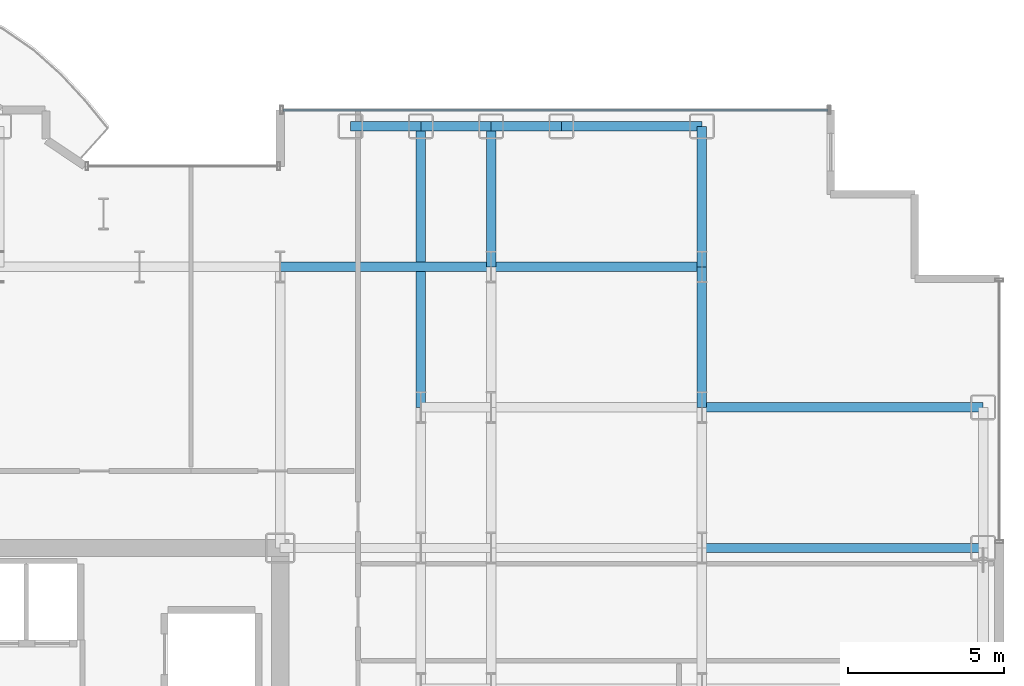
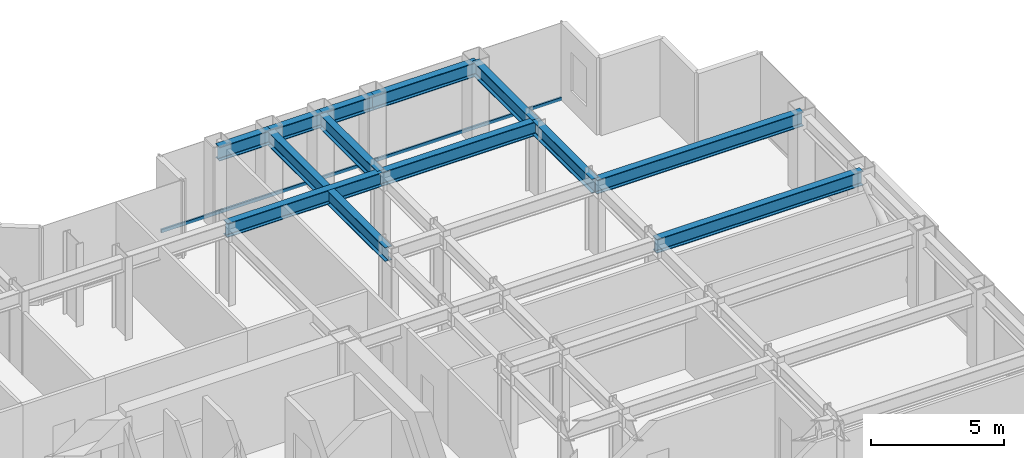
# One storey, part 16 of 29: 12 beams, 1 member, 1 element without a shape of its own.
"""IFC4 building model written with IfcOpenShell, lengths in metres."""

import ifcopenshell
import ifcopenshell.guid

model = None  # the IFC model being written
_history = None  # IfcOwnerHistory: only IFC2X3 demands one
_inside = {}  # id of a spatial element -> (the spatial element, [elements in it])
_under = {}  # id of a project, library or spatial element -> (it, [spatial elements below it])
_declared = {}  # id of a project -> (the project, [libraries it declares])
_typed = {}  # id of a type object -> (the type object, [elements of that type])
_made_of = {}  # id of a material, layer set ... -> (it, [elements and type objects made of it])


def new_model(schema):
    """Start an empty IFC model of exactly this schema.

    Asked for "IFC4X3", IfcOpenShell would pick the latest addendum, in which some entities
    have other attributes; the version numbers below select the first issue.
    IFC2X3 requires an IfcOwnerHistory on every rooted entity: one is made here for all.
    """
    global model, _history
    if schema == "IFC4X3":
        model = ifcopenshell.file(schema_version=(4, 3, 0, 0))
    else:
        model = ifcopenshell.file(schema=schema)
    _inside.clear()
    _under.clear()
    _declared.clear()
    _typed.clear()
    _made_of.clear()
    _history = None
    if model.schema == "IFC2X3":
        org = make("IfcOrganization", Name="unknown")
        user = make(
            "IfcPersonAndOrganization",
            ThePerson=make("IfcPerson", FamilyName="unknown"),
            TheOrganization=org,
        )
        app = make(
            "IfcApplication",
            ApplicationDeveloper=org,
            Version="unknown",
            ApplicationFullName="unknown",
            ApplicationIdentifier="unknown",
        )
        _history = make(
            "IfcOwnerHistory",
            OwningUser=user,
            OwningApplication=app,
            ChangeAction="ADDED",
            CreationDate=0,
        )
    return model


def make(cls, **values):
    """One entity of the class cls with the attributes given. An attribute that is None is left unset."""
    return model.create_entity(
        cls, **{name: value for name, value in values.items() if value is not None}
    )


def rooted(cls, **values):
    """An entity with a GlobalId (a new one), such as an element, a storey or a relation."""
    return make(cls, GlobalId=ifcopenshell.guid.new(), OwnerHistory=_history, **values)


def si_unit(unit_type, name, prefix=None):
    """IfcSIUnit, for example si_unit("LENGTHUNIT", "METRE", prefix="MILLI")."""
    return make("IfcSIUnit", UnitType=unit_type, Prefix=prefix, Name=name)


def assignment(units):
    """IfcUnitAssignment: the units of a project."""
    return None if units is None else make("IfcUnitAssignment", Units=units)


def point(xyz):
    """IfcCartesianPoint."""
    return None if xyz is None else make("IfcCartesianPoint", Coordinates=xyz)


def direction(xyz):
    """IfcDirection."""
    return None if xyz is None else make("IfcDirection", DirectionRatios=xyz)


def frame(location, z_axis=None, x_axis=None):
    """IfcAxis2Placement3D, a coordinate frame: its origin and axes. An axis left out is left unset."""
    return make(
        "IfcAxis2Placement3D",
        Location=point(location),
        Axis=direction(z_axis),
        RefDirection=direction(x_axis),
    )


def frame_2d(location, x_axis=None):
    """IfcAxis2Placement2D, a coordinate frame in the plane: its origin and x axis."""
    return make(
        "IfcAxis2Placement2D", Location=point(location), RefDirection=direction(x_axis)
    )


def origin():
    """The frame at (0, 0, 0) with its axes left unset."""
    return frame((0.0, 0.0, 0.0))


def origin_2d():
    """The frame at (0, 0) in the plane with its x axis left unset."""
    return frame_2d((0.0, 0.0))


def place(relative_to, where):
    """IfcLocalPlacement: puts the frame where relative to a parent placement (None: the world)."""
    return make(
        "IfcLocalPlacement", PlacementRelTo=relative_to, RelativePlacement=where
    )


def context(
    kind, dimensions, precision=None, world=None, true_north=None, identifier=None
):
    """IfcGeometricRepresentationContext, for example the 3D "Model" context."""
    return make(
        "IfcGeometricRepresentationContext",
        ContextIdentifier=identifier,
        ContextType=kind,
        CoordinateSpaceDimension=dimensions,
        Precision=precision,
        WorldCoordinateSystem=world,
        TrueNorth=true_north,
    )


def subcontext(parent, identifier, kind, view, scale=None):
    """IfcGeometricRepresentationSubContext, for example "Body" below "Model"."""
    return make(
        "IfcGeometricRepresentationSubContext",
        ContextIdentifier=identifier,
        ContextType=kind,
        ParentContext=parent,
        TargetScale=scale,
        TargetView=view,
    )


def project(units=None, contexts=None):
    """IfcProject with its units and contexts."""
    return rooted(
        "IfcProject",
        Name="project",
        RepresentationContexts=contexts,
        UnitsInContext=assignment(units),
    )


def spatial(cls, under=None, at=None, **own):
    """A site, building, storey or space (cls), placed at a placement, below another one or the project."""
    s = rooted(cls, ObjectPlacement=at, **own)
    if under is not None:
        _under.setdefault(under.id(), (under, []))[1].append(s)
    return s


def profile(cls, at=None, kind="AREA", **sizes):
    """A parametric profile (cls). Its sizes go by their IFC names, for example OverallWidth=200.0."""
    return make(cls, ProfileType=kind, Position=at, **sizes)


def hollow_rectangle(**sizes):
    """IfcRectangleHollowProfileDef."""
    return profile("IfcRectangleHollowProfileDef", **sizes)


def i_section(**sizes):
    """IfcIShapeProfileDef."""
    return profile("IfcIShapeProfileDef", **sizes)


def extrude(swept, where, along, depth):
    """IfcExtrudedAreaSolid: the profile swept, set in the frame where, extruded along a direction by depth."""
    return make(
        "IfcExtrudedAreaSolid",
        SweptArea=swept,
        Position=where,
        ExtrudedDirection=direction(along),
        Depth=depth,
    )


def shape(context_of_items, identifier, shape_type, items):
    """IfcShapeRepresentation: the items that make up one representation, for example the "Body"."""
    return make(
        "IfcShapeRepresentation",
        ContextOfItems=context_of_items,
        RepresentationIdentifier=identifier,
        RepresentationType=shape_type,
        Items=items,
    )


def source(mapping_origin, context_of_items, identifier, shape_type, items):
    """IfcRepresentationMap: a shape defined once, which mapped items show again and again."""
    return make(
        "IfcRepresentationMap",
        MappingOrigin=mapping_origin,
        MappedRepresentation=shape(context_of_items, identifier, shape_type, items),
    )


def transform(
    local_origin,
    x_axis=None,
    y_axis=None,
    z_axis=None,
    scale=None,
    scale2=None,
    scale3=None,
    uniform=True,
):
    """IfcCartesianTransformationOperator3D, or its non-uniform kind. x_axis, y_axis, z_axis: its Axis1, 2, 3."""
    if uniform:
        return make(
            "IfcCartesianTransformationOperator3D",
            Axis1=direction(x_axis),
            Axis2=direction(y_axis),
            LocalOrigin=point(local_origin),
            Scale=scale,
            Axis3=direction(z_axis),
        )
    return make(
        "IfcCartesianTransformationOperator3DnonUniform",
        Axis1=direction(x_axis),
        Axis2=direction(y_axis),
        LocalOrigin=point(local_origin),
        Scale=scale,
        Axis3=direction(z_axis),
        Scale2=scale2,
        Scale3=scale3,
    )


def mapped(mapping_source, mapping_target):
    """IfcMappedItem: shows the shape of a source again, moved by a transform."""
    return make(
        "IfcMappedItem", MappingSource=mapping_source, MappingTarget=mapping_target
    )


def material(Name=None, Category=None):
    """IfcMaterial."""
    return make("IfcMaterial", Name=Name, Category=Category)


def layer(
    of_material, thickness, ventilated=None, Name=None, Category=None, Priority=None
):
    """IfcMaterialLayer: one layer of a wall or slab, of a material (None: an air gap)."""
    return make(
        "IfcMaterialLayer",
        Material=of_material,
        LayerThickness=thickness,
        IsVentilated=ventilated,
        Name=Name,
        Category=Category,
        Priority=Priority,
    )


def layer_set(layers, Name=None):
    """IfcMaterialLayerSet."""
    return make("IfcMaterialLayerSet", MaterialLayers=layers, LayerSetName=Name)


def material_profile(
    of_material, cross_section, Name=None, Category=None, Priority=None
):
    """IfcMaterialProfile: a cross section and its material."""
    return make(
        "IfcMaterialProfile",
        Name=Name,
        Material=of_material,
        Profile=cross_section,
        Priority=Priority,
        Category=Category,
    )


def profile_set(profiles, Name=None, composite=None):
    """IfcMaterialProfileSet."""
    return make(
        "IfcMaterialProfileSet",
        Name=Name,
        MaterialProfiles=profiles,
        CompositeProfile=composite,
    )


def made_of(thing, what):
    """Note that an element or type object is made of a material, layer set ...; save() writes the relation."""
    if what is not None:
        _made_of.setdefault(what.id(), (what, []))[1].append(thing)
    return thing


def type_object(cls, material=None, **own):
    """A type object (cls), such as IfcWallType, which elements share."""
    return made_of(rooted(cls, **own), material)


def element(
    cls,
    number,
    at=None,
    inside=None,
    cuts=None,
    type_object=None,
    material=None,
    context=None,
    identifier="Body",
    shape_type=None,
    held_by="IfcProductDefinitionShape",
    body=None,
    shapes=None,
    **own,
):
    """One element of the class cls, such as IfcWall. Its Tag is "e" and its number.

    at: its placement. inside: the storey or other place that contains it. cuts: it is an
    opening in that element (IfcRelVoidsElement). A single representation is given by context,
    identifier, shape_type and body (its items); several are given by shapes. held_by: the class
    of the entity that holds the representations. save() writes the other relations.
    """
    e = rooted(cls, Tag="e%d" % number, ObjectPlacement=at, **own)
    if body is not None:
        shapes = [shape(context, identifier, shape_type, body)]
    if shapes is not None:
        e.Representation = make(held_by, Representations=shapes)
    if inside is not None:
        _inside.setdefault(inside.id(), (inside, []))[1].append(e)
    if cuts is not None:
        rooted(
            "IfcRelVoidsElement", RelatingBuildingElement=cuts, RelatedOpeningElement=e
        )
    if type_object is not None:
        _typed.setdefault(type_object.id(), (type_object, []))[1].append(e)
    return made_of(e, material)


def aggregate(whole, parts):
    """IfcRelAggregates: a whole, such as a stair, and the parts it consists of."""
    return rooted("IfcRelAggregates", RelatingObject=whole, RelatedObjects=parts)


def save(model, path):
    """Write the relations noted so far, then the file.

    IfcRelAggregates (storeys below a building ...), IfcRelContainedInSpatialStructure (elements
    in a storey), IfcRelDefinesByType, IfcRelAssociatesMaterial and IfcRelDeclares: one each for
    every whole, place, type object, material and project.
    """
    for whole, parts in _under.values():
        aggregate(whole, parts)
    for where, things in _inside.values():
        rooted(
            "IfcRelContainedInSpatialStructure",
            RelatedElements=things,
            RelatingStructure=where,
        )
    for kind, things in _typed.values():
        rooted("IfcRelDefinesByType", RelatedObjects=things, RelatingType=kind)
    for what, things in _made_of.values():
        rooted("IfcRelAssociatesMaterial", RelatedObjects=things, RelatingMaterial=what)
    for by, libraries in _declared.values():
        rooted("IfcRelDeclares", RelatingContext=by, RelatedDefinitions=libraries)
    model.write(path)


model = new_model("IFC4")

# Units and contexts
model_context = context("Model", 3, precision=1e-05, world=origin(), true_north=direction((0.0, 1.0)))
body_context = subcontext(model_context, "Body", "Model", "MODEL_VIEW")
ifc_project = project(units=[si_unit("LENGTHUNIT", "METRE"), si_unit("AREAUNIT", "SQUARE_METRE"), si_unit("VOLUMEUNIT", "CUBIC_METRE"), si_unit("PLANEANGLEUNIT", "RADIAN"), si_unit("MASSUNIT", "GRAM", prefix="KILO")], contexts=[model_context])

# Site, building, storey
site_placement = place(None, origin())
site = spatial("IfcSite", under=ifc_project, at=site_placement, CompositionType="ELEMENT")
building_placement = place(site_placement, origin())
building = spatial("IfcBuilding", under=site, at=building_placement, Name="Nefas-Gora Pilgrimage Tower", CompositionType="ELEMENT")
storey_placement = place(building_placement, frame((0.0, 0.0, 125.0)))
storey = spatial("IfcBuildingStorey", under=building, at=storey_placement, Name="L30", CompositionType="ELEMENT", Elevation=125.0)

# Beams
ifc_material_1 = material(Name="Steel S355", Category="steel")
ifc_material_profile_1 = material_profile(ifc_material_1, i_section(OverallWidth=0.300048828125, OverallDepth=0.64990234375, WebThickness=0.01611328125, FlangeThickness=0.031005859375, FilletRadius=0.027099609375, at=origin_2d()), Name="HEB 650")
ifc_profile_set_1 = profile_set([ifc_material_profile_1], Name="Steel S355")
beam_type_1 = type_object("IfcBeamType", Name="BM-SPN-HEB500", PredefinedType="SPANDREL", material=ifc_profile_set_1)
shared_shape_1 = source(origin(), body_context, "Body", "SweptSolid", [
    extrude(i_section(OverallWidth=0.300048828125, OverallDepth=0.64990234375, WebThickness=0.01611328125, FlangeThickness=0.031005859375, FilletRadius=0.027099609375, at=origin_2d()), origin(), (0.0, 0.0, 1.0), 4.5),
])
beam_placement = place(storey_placement, frame((20.25, 22.5, 3.22509765625), z_axis=(1.0, 0.0, 0.0), x_axis=(0.0, 1.0, 0.0)))
element("IfcBeam", 1, at=beam_placement, inside=storey, type_object=beam_type_1, Name="L30 SP-02 beam", PredefinedType="SPANDREL", context=body_context, shape_type="MappedRepresentation", body=[
    mapped(shared_shape_1, transform((0.0, 0.0, 0.0), x_axis=(1.0, 0.0, 0.0), y_axis=(0.0, 1.0, 0.0), z_axis=(0.0, 0.0, 1.0), scale=1.0)),
])
ifc_material_profile_2 = material_profile(ifc_material_1, i_section(OverallWidth=0.300048828125, OverallDepth=0.64990234375, WebThickness=0.01611328125, FlangeThickness=0.031005859375, FilletRadius=0.027099609375, at=origin_2d()), Name="HEB 650")
ifc_profile_set_2 = profile_set([ifc_material_profile_2], Name="Steel S355")
beam_type_2 = type_object("IfcBeamType", Name="BM-GIR-HEB650", PredefinedType="BEAM", material=ifc_profile_set_2)
shared_shape_2 = source(origin(), body_context, "Body", "SweptSolid", [
    extrude(i_section(OverallWidth=0.300048828125, OverallDepth=0.64990234375, WebThickness=0.01611328125, FlangeThickness=0.031005859375, FilletRadius=0.027099609375, at=origin_2d()), origin(), (0.0, 0.0, 1.0), 9.0),
])
for number, where, z_axis, x_axis, name in (
    (2, (15.75, 13.5, 3.22509765625), (0.0, 1.0, 0.0), (-1.0, 0.0, 0.0), "L30 G-03 beam"),
    (3, (24.75, 9.0, 3.22509765625), (1.0, 0.0, 0.0), (0.0, 1.0, 0.0), "L30 G-03 beam"),
    (4, (24.75, 13.5, 3.22509765625), (1.0, 0.0, 0.0), (0.0, 1.0, 0.0), "L30 G-03 beam"),
):
    element("IfcBeam", number, at=place(storey_placement, frame(where, z_axis=z_axis, x_axis=x_axis)), inside=storey, type_object=beam_type_2, Name=name, PredefinedType="BEAM", context=body_context, shape_type="MappedRepresentation", body=[
        mapped(shared_shape_2, transform((0.0, 0.0, 0.0), x_axis=(1.0, 0.0, 0.0), y_axis=(0.0, 1.0, 0.0), z_axis=(0.0, 0.0, 1.0), scale=1.0)),
    ])
shared_shape_3 = source(origin(), body_context, "Body", "SweptSolid", [
    extrude(i_section(OverallWidth=0.300048828125, OverallDepth=0.64990234375, WebThickness=0.01611328125, FlangeThickness=0.031005859375, FilletRadius=0.027099609375, at=origin_2d()), origin(), (0.0, 0.0, 1.0), 4.5),
])
for number, where, z_axis, x_axis, name in (
    (5, (18.0, 18.0, 3.22509765625), (0.0, 1.0, 0.0), (-1.0, 0.0, 0.0), "L30 G-03 beam"),
    (6, (24.75, 13.5, 3.22509765625), (0.0, 1.0, 0.0), (-1.0, 0.0, 0.0), "L30 G-03 beam"),
    (7, (24.75, 18.0, 3.22509765625), (0.0, 1.0, 0.0), (-1.0, 0.0, 0.0), "L30 G-03 beam"),
):
    element("IfcBeam", number, at=place(storey_placement, frame(where, z_axis=z_axis, x_axis=x_axis)), inside=storey, type_object=beam_type_2, Name=name, PredefinedType="BEAM", context=body_context, shape_type="MappedRepresentation", body=[
        mapped(shared_shape_3, transform((0.0, 0.0, 0.0), x_axis=(1.0, 0.0, 0.0), y_axis=(0.0, 1.0, 0.0), z_axis=(0.0, 0.0, 1.0), scale=1.0)),
    ])
shared_shape_4 = source(origin(), body_context, "Body", "SweptSolid", [
    extrude(i_section(OverallWidth=0.300048828125, OverallDepth=0.64990234375, WebThickness=0.01611328125, FlangeThickness=0.031005859375, FilletRadius=0.027099609375, at=origin_2d()), origin(), (0.0, 0.0, 1.0), 6.75),
])
for number, where, z_axis, x_axis, name in (
    (8, (11.25, 18.0, 3.22509765625), (1.0, 0.0, 0.0), (0.0, 1.0, 0.0), "L30 G-03 beam"),
    (9, (18.0, 18.0, 3.22509765625), (1.0, 0.0, 0.0), (0.0, 1.0, 0.0), "L30 G-03 beam"),
):
    element("IfcBeam", number, at=place(storey_placement, frame(where, z_axis=z_axis, x_axis=x_axis)), inside=storey, type_object=beam_type_2, Name=name, PredefinedType="BEAM", context=body_context, shape_type="MappedRepresentation", body=[
        mapped(shared_shape_4, transform((0.0, 0.0, 0.0), x_axis=(1.0, 0.0, 0.0), y_axis=(0.0, 1.0, 0.0), z_axis=(0.0, 0.0, 1.0), scale=1.0)),
    ])
shared_shape_5 = source(origin(), body_context, "Body", "SweptSolid", [
    extrude(i_section(OverallWidth=0.300048828125, OverallDepth=0.64990234375, WebThickness=0.01611328125, FlangeThickness=0.031005859375, FilletRadius=0.027099609375, at=origin_2d()), origin(), (0.0, 0.0, 1.0), 2.25),
])
for number, where, z_axis, x_axis, name in (
    (10, (13.5, 22.5, 3.22509765625), (1.0, 0.0, 0.0), (0.0, 1.0, 0.0), "L30 SP-02 beam"),
    (11, (15.75, 22.5, 3.22509765625), (1.0, 0.0, 0.0), (0.0, 1.0, 0.0), "L30 SP-02 beam"),
    (12, (18.0, 22.5, 3.22509765625), (1.0, 0.0, 0.0), (0.0, 1.0, 0.0), "L30 SP-02 beam"),
):
    element("IfcBeam", number, at=place(storey_placement, frame(where, z_axis=z_axis, x_axis=x_axis)), inside=storey, type_object=beam_type_1, Name=name, PredefinedType="SPANDREL", context=body_context, shape_type="MappedRepresentation", body=[
        mapped(shared_shape_5, transform((0.0, 0.0, 0.0), x_axis=(1.0, 0.0, 0.0), y_axis=(0.0, 1.0, 0.0), z_axis=(0.0, 0.0, 1.0), scale=1.0)),
    ])

# Curtain wall, member
ifc_material_2 = material(Name="Dark ceramic-fritted solar-control aluminium-glass curtain wall", Category="aluminium")
ifc_layer = layer(ifc_material_2, 0.219970703125)
ifc_layer_set = layer_set([ifc_layer], Name="Dark ceramic-fritted solar-control aluminium-glass curtain wall")
curtain_wall_type = type_object("IfcCurtainWallType", Name="CW-SYS-2", PredefinedType="NOTDEFINED", material=ifc_layer_set)
curtain_wall_placement = place(storey_placement, origin())
curtain_wall = element("IfcCurtainWall", 13, at=curtain_wall_placement, inside=storey, type_object=curtain_wall_type, Name="L30 Unitised Curtain Wall CW2", PredefinedType="NOTDEFINED")
ifc_material_3 = material(Name="Anodised architectural aluminium", Category="aluminium")
ifc_material_profile_3 = material_profile(ifc_material_3, hollow_rectangle(XDim=0.080078125, YDim=0.159912109375, WallThickness=0.00439453125, InnerFilletRadius=0.00439453125, OuterFilletRadius=0.009033203125, at=origin_2d()), Name="ALU TRANSOM 80x160")
ifc_profile_set_3 = profile_set([ifc_material_profile_3], Name="Anodised architectural aluminium")
member_type = type_object("IfcMemberType", Name="CWM-TRN-2", PredefinedType="USERDEFINED", material=ifc_profile_set_3)
shared_shape_6 = source(origin(), body_context, "Body", "SweptSolid", [
    extrude(hollow_rectangle(XDim=0.080078125, YDim=0.159912109375, WallThickness=0.00439453125, InnerFilletRadius=0.00439453125, OuterFilletRadius=0.009033203125, at=origin_2d()), origin(), (0.0, 0.0, 1.0), 17.43994140625),
])
member_placement = place(storey_placement, frame((28.780029296875, 23.02001953125, 0.050048828125), z_axis=(-1.0, 0.0, 0.0), x_axis=(0.0, -1.0, 0.0)))
member = element("IfcMember", 14, at=member_placement, type_object=member_type, Name="CW2 Spandrel Transom", ObjectType="TRANSOM", PredefinedType="USERDEFINED", context=body_context, shape_type="MappedRepresentation", body=[
    mapped(shared_shape_6, transform((0.0, 0.0, 0.0), x_axis=(1.0, 0.0, 0.0), y_axis=(0.0, 1.0, 0.0), z_axis=(0.0, 0.0, 1.0), scale=1.0)),
])
aggregate(curtain_wall, [member])

save(model, "model.ifc")
